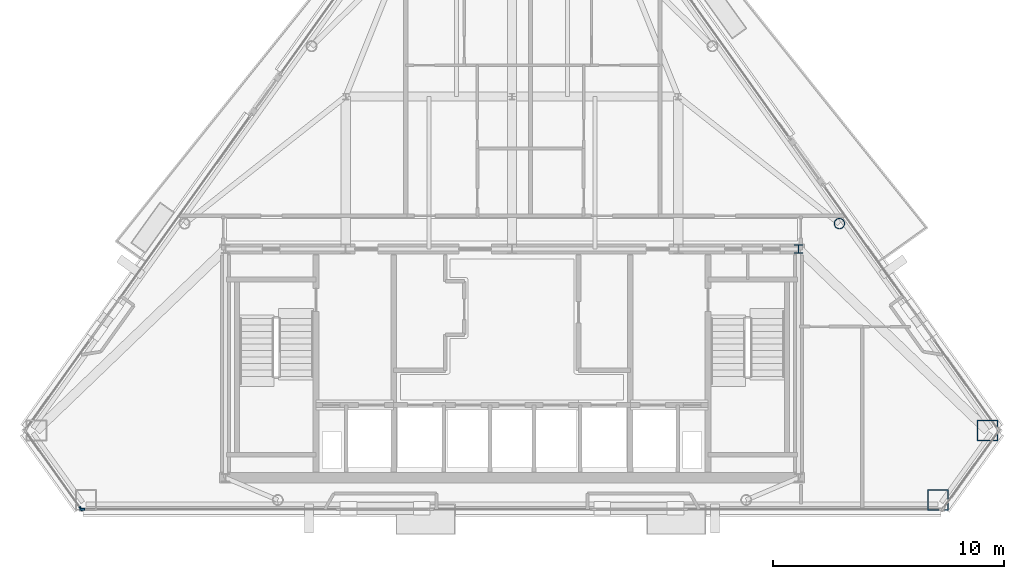
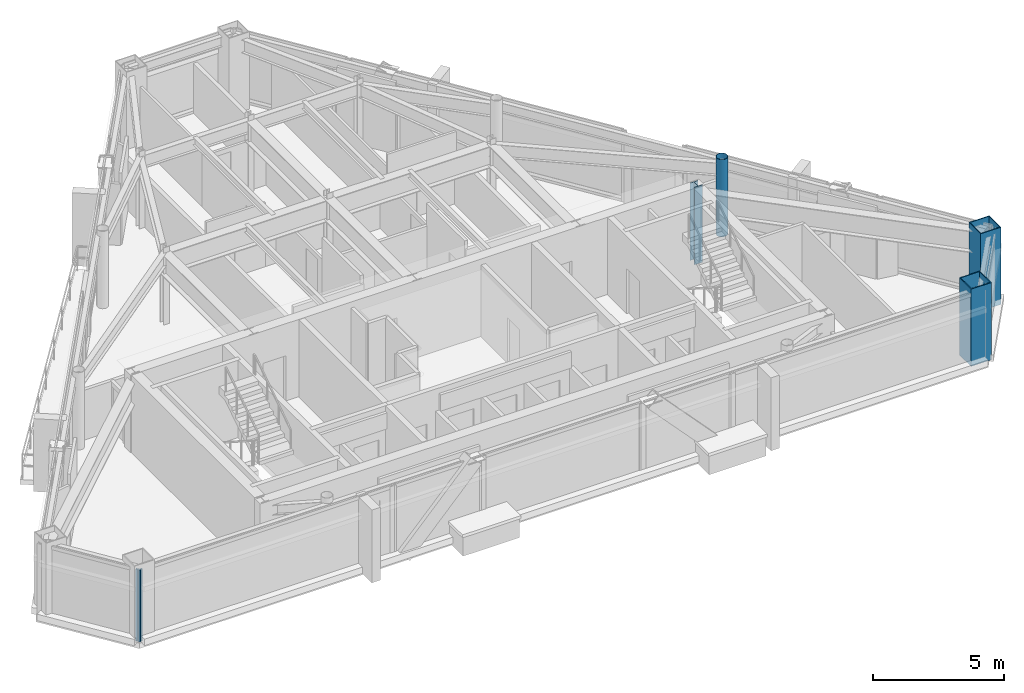
# One storey, part 3 of 12: 4 columns, 2 members, 2 elements without a shape of their own.
"""IFC4 building model written with IfcOpenShell, lengths in metres."""

from ifc_helpers import new_model, si_unit, direction, frame, origin, origin_2d, place, context, subcontext, project, spatial, rectangle, hollow_rectangle, hollow_circle, i_section, extrude, material, layer, layer_set, material_profile, profile_set, type_object, element, aggregate, save


model = new_model("IFC4")

# Units and contexts
model_context = context("Model", 3, precision=1e-05, world=origin(), true_north=direction((0.0, 1.0)))
body_context = subcontext(model_context, "Body", "Model", "MODEL_VIEW")
ifc_project = project(units=[si_unit("LENGTHUNIT", "METRE"), si_unit("AREAUNIT", "SQUARE_METRE"), si_unit("VOLUMEUNIT", "CUBIC_METRE"), si_unit("PLANEANGLEUNIT", "RADIAN"), si_unit("MASSUNIT", "GRAM", prefix="KILO")], contexts=[model_context])

# Site, building, storey
site_placement = place(None, origin())
site = spatial("IfcSite", under=ifc_project, at=site_placement, CompositionType="ELEMENT")
building_placement = place(site_placement, origin())
building = spatial("IfcBuilding", under=site, at=building_placement, Name="Talgorran Terracotta Tower", CompositionType="ELEMENT")
storey_placement = place(building_placement, frame((0.0, 0.0, 256.199951171875)))
storey = spatial("IfcBuildingStorey", under=building, at=storey_placement, Name="L67", CompositionType="ELEMENT", Elevation=256.199951171875)

# Columns
ifc_material_1 = material(Name="Steel S355 (300PLUS)", Category="steel")
ifc_material_profile_1 = material_profile(ifc_material_1, i_section(OverallWidth=0.35205078125, OverallDepth=0.35888671875, WebThickness=0.01806640625, FlangeThickness=0.02587890625, at=origin_2d()), Name="350WC197")
ifc_profile_set_1 = profile_set([ifc_material_profile_1], Name="Steel S355 (300PLUS)")
column_type_1 = type_object("IfcColumnType", Name="COL_350WC197", PredefinedType="COLUMN", material=ifc_profile_set_1)
column_1_placement = place(storey_placement, frame((12.39990234375, -4.199951171875, 0.0), z_axis=(0.0, 0.0, 1.0), x_axis=(1.0, 0.0, 0.0)))
element("IfcColumn", 1, at=column_1_placement, inside=storey, type_object=column_type_1, Name="L67 Core Boundary Column CC3", PredefinedType="COLUMN", context=body_context, shape_type="SweptSolid", body=[
    extrude(i_section(OverallWidth=0.35205078125, OverallDepth=0.35888671875, WebThickness=0.01806640625, FlangeThickness=0.02587890625, at=origin_2d()), origin(), (0.0, 0.0, 1.0), 3.60009765625),
])
ifc_material_2 = material(Name="Steel Grade 350 (350L0)", Category="steel")
ifc_material_profile_2 = material_profile(ifc_material_2, hollow_rectangle(XDim=0.89990234375, YDim=0.89990234375, WallThickness=0.0400390625, at=origin_2d()), Name="CFT900X900X40")
ifc_profile_set_2 = profile_set([ifc_material_profile_2], Name="Steel Grade 350 (350L0)")
column_type_2 = type_object("IfcColumnType", Name="COL_CFT_900", PredefinedType="COLUMN", material=ifc_profile_set_2)
for number, where, z_axis, x_axis, name in (
    (2, (18.43212890625, -15.063232421875, 0.0), (0.0, 0.0, 1.0), (1.0, 0.0, 0.0), "L67 Corner CFT Mega-Column MC3"),
    (3, (20.585205078125, -12.056640625, 0.0), (0.0, 0.0, 1.0), (1.0, 0.0, 0.0), "L67 Corner CFT Mega-Column MC4"),
):
    element("IfcColumn", number, at=place(storey_placement, frame(where, z_axis=z_axis, x_axis=x_axis)), inside=storey, type_object=column_type_2, Name=name, PredefinedType="COLUMN", context=body_context, shape_type="SweptSolid", body=[
        extrude(hollow_rectangle(XDim=0.89990234375, YDim=0.89990234375, WallThickness=0.0400390625, at=origin_2d()), origin(), (0.0, 0.0, 1.0), 3.60009765625),
    ])
ifc_material_3 = material(Name="Steel S350 (C350L0)", Category="steel")
ifc_material_profile_3 = material_profile(ifc_material_3, hollow_circle(Radius=0.228515625, WallThickness=0.01611328125, at=origin_2d()), Name="CHS457X16")
ifc_profile_set_3 = profile_set([ifc_material_profile_3], Name="Steel S350 (C350L0)")
column_type_3 = type_object("IfcColumnType", Name="COL_CHS_457", PredefinedType="COLUMN", material=ifc_profile_set_3)
column_2_placement = place(storey_placement, frame((14.170654296875, -3.09912109375, 0.0), z_axis=(0.0, 0.0, 1.0), x_axis=(1.0, 0.0, 0.0)))
element("IfcColumn", 4, at=column_2_placement, inside=storey, type_object=column_type_3, Name="L67 Facet Perimeter Column FC3", PredefinedType="COLUMN", context=body_context, shape_type="SweptSolid", body=[
    extrude(hollow_circle(Radius=0.228515625, WallThickness=0.01611328125, at=origin_2d()), origin(), (0.0, 0.0, 1.0), 3.60009765625),
])

# Curtain wall, member
ifc_material_4 = material(Name="High-Wind Unitised Glazing", Category="glass")
ifc_layer = layer(ifc_material_4, 0.2099609375, Name="CW_SYS3_RES_HIGH")
ifc_layer_set = layer_set([ifc_layer], Name="High-Wind Unitised Glazing")
curtain_wall_type = type_object("IfcCurtainWallType", Name="CW_SYS3_RES_HIGH", PredefinedType="NOTDEFINED", material=ifc_layer_set)
curtain_wall_1_placement = place(storey_placement, origin())
curtain_wall_1 = element("IfcCurtainWall", 5, at=curtain_wall_1_placement, inside=storey, type_object=curtain_wall_type, Name="CW-L67-F0", PredefinedType="NOTDEFINED")
ifc_material_5 = material(Name="Architectural Aluminium 6063-T6", Category="aluminium")
ifc_material_profile_4 = material_profile(ifc_material_5, rectangle(XDim=0.070068359375, YDim=0.199951171875, at=origin_2d()), Name="CWM70X200")
ifc_profile_set_4 = profile_set([ifc_material_profile_4], Name="Architectural Aluminium 6063-T6")
member_type = type_object("IfcMemberType", Name="MUL_70X200", PredefinedType="MULLION", material=ifc_profile_set_4)
member_1_placement = place(storey_placement, frame((-18.657958984375, -15.434814453125, 0.0), z_axis=(0.0, 0.0, 1.0), x_axis=(0.813031401137, 0.582219838862, 0.0)))
member_1 = element("IfcMember", 6, at=member_1_placement, type_object=member_type, Name="CW-L67-0 mullion 2", PredefinedType="MULLION", context=body_context, shape_type="SweptSolid", body=[
    extrude(rectangle(XDim=0.070068359375, YDim=0.199951171875, at=origin_2d()), origin(), (0.0, 0.0, 1.0), 3.344970703125),
])
aggregate(curtain_wall_1, [member_1])

curtain_wall_2_placement = place(storey_placement, origin())
curtain_wall_2 = element("IfcCurtainWall", 7, at=curtain_wall_2_placement, inside=storey, type_object=curtain_wall_type, Name="CW-L67-F1", PredefinedType="NOTDEFINED")
member_2_placement = place(storey_placement, frame((-18.6025390625, -15.46337890625, 0.0), z_axis=(0.0, 0.0, 1.0), x_axis=(0.0, 1.0, 0.0)))
member_2 = element("IfcMember", 8, at=member_2_placement, type_object=member_type, Name="CW-L67-1 mullion 1", PredefinedType="MULLION", context=body_context, shape_type="SweptSolid", body=[
    extrude(rectangle(XDim=0.070068359375, YDim=0.199951171875, at=origin_2d()), origin(), (0.0, 0.0, 1.0), 3.344970703125),
])
aggregate(curtain_wall_2, [member_2])

save(model, "model.ifc")
